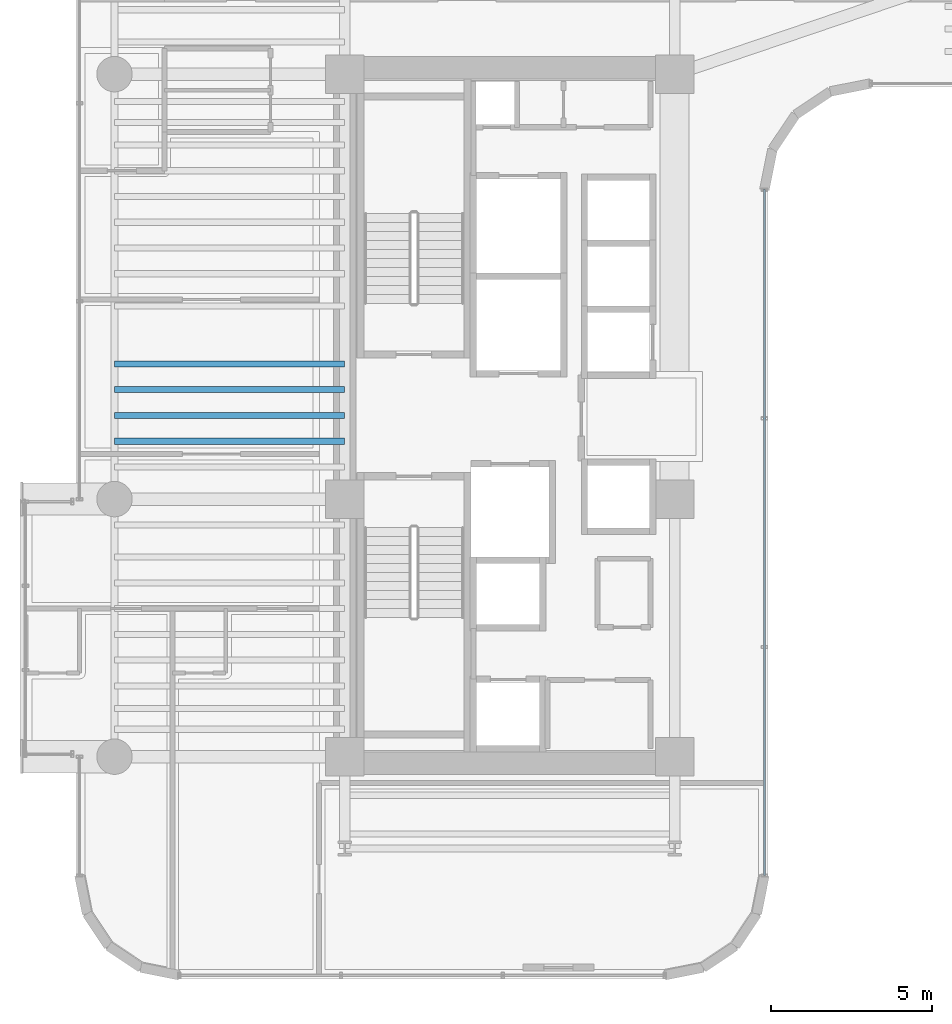
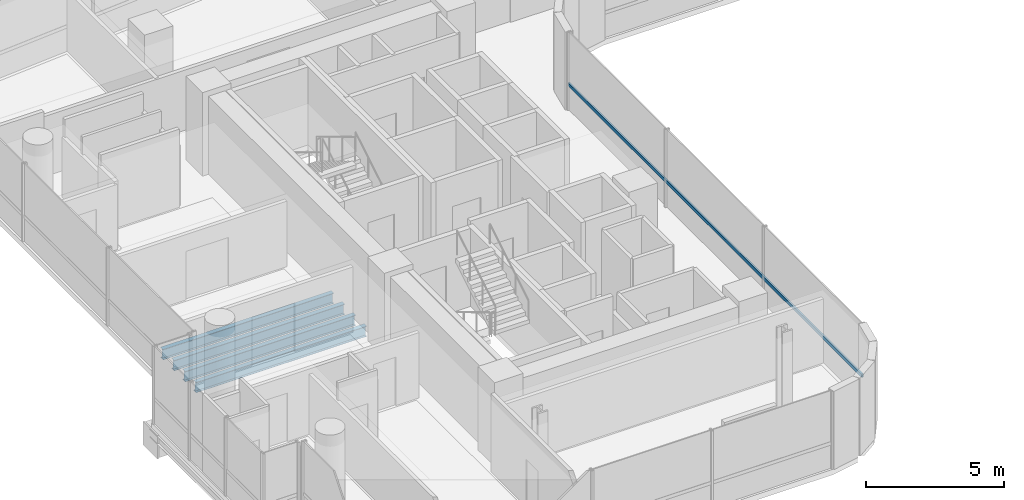
# One storey, part 6 of 37: 4 beams, 1 member, 1 element without a shape of its own.
"""IFC4 building model written with IfcOpenShell, lengths in metres."""

from ifc_helpers import new_model, si_unit, direction, frame, origin, origin_2d, place, context, subcontext, project, spatial, hollow_rectangle, i_section, extrude, source, transform, mapped, material, material_profile, profile_set, type_object, element, aggregate, save


model = new_model("IFC4")

# Units and contexts
model_context = context("Model", 3, precision=1e-05, world=origin(), true_north=direction((0.0, 1.0)))
body_context = subcontext(model_context, "Body", "Model", "MODEL_VIEW")
ifc_project = project(units=[si_unit("LENGTHUNIT", "METRE"), si_unit("AREAUNIT", "SQUARE_METRE"), si_unit("VOLUMEUNIT", "CUBIC_METRE"), si_unit("PLANEANGLEUNIT", "RADIAN"), si_unit("MASSUNIT", "GRAM", prefix="KILO")], contexts=[model_context])

# Site, building, storey
site_placement = place(None, origin())
site = spatial("IfcSite", under=ifc_project, at=site_placement, CompositionType="ELEMENT")
building_placement = place(site_placement, origin())
building = spatial("IfcBuilding", under=site, at=building_placement, Name="Valdorenza Pilgrim Sanctuary Tower", CompositionType="ELEMENT")
storey_placement = place(building_placement, frame((0.0, 0.0, 135.300048828125)))
storey = spatial("IfcBuildingStorey", under=building, at=storey_placement, Name="L34", CompositionType="ELEMENT", Elevation=135.300048828125)

# Beams
ifc_material_1 = material(Name="Steel ASTM A992 Grade 50", Category="steel")
ifc_material_profile_1 = material_profile(ifc_material_1, i_section(OverallWidth=0.19091796875, OverallDepth=0.45703125, WebThickness=0.009033203125, FlangeThickness=0.014404296875, at=origin_2d()), Name="W18X50")
ifc_profile_set_1 = profile_set([ifc_material_profile_1], Name="Steel ASTM A992 Grade 50")
beam_type = type_object("IfcBeamType", Name="STR-BM-JST-W18B", PredefinedType="JOIST", material=ifc_profile_set_1)
shared_shape_1 = source(origin(), body_context, "Body", "SweptSolid", [
    extrude(i_section(OverallWidth=0.19091796875, OverallDepth=0.45703125, WebThickness=0.009033203125, FlangeThickness=0.014404296875, at=origin_2d()), origin(), (0.0, 0.0, 1.0), 7.150146484375),
])
for number, where, z_axis, x_axis, name in (
    (1, (-29.800048828125, -0.800048828125, -0.468505859375), (1.0, 0.0, 0.0), (0.0, 1.0, 0.0), "L34 Composite Floor Joist JST-WA-11"),
    (2, (-29.800048828125, 0.0, -0.468505859375), (1.0, 0.0, 0.0), (0.0, 1.0, 0.0), "L34 Composite Floor Joist JST-WA-12"),
    (3, (-29.800048828125, 0.800048828125, -0.468505859375), (1.0, 0.0, 0.0), (0.0, 1.0, 0.0), "L34 Composite Floor Joist JST-WA-13"),
    (4, (-29.800048828125, 1.60009765625, -0.468505859375), (1.0, 0.0, 0.0), (0.0, 1.0, 0.0), "L34 Composite Floor Joist JST-WA-14"),
):
    element("IfcBeam", number, at=place(storey_placement, frame(where, z_axis=z_axis, x_axis=x_axis)), inside=storey, type_object=beam_type, Name=name, PredefinedType="JOIST", context=body_context, shape_type="MappedRepresentation", body=[
        mapped(shared_shape_1, transform((0.0, 0.0, 0.0), x_axis=(1.0, 0.0, 0.0), y_axis=(0.0, 1.0, 0.0), z_axis=(0.0, 0.0, 1.0), scale=1.0)),
    ])

# Curtain wall, member
ifc_material_2 = material(Name="Curtain-wall IGU glazing", Category="glass")
curtain_wall_type = type_object("IfcCurtainWallType", Name="CW-SYS-02", PredefinedType="NOTDEFINED", material=ifc_material_2)
curtain_wall_placement = place(storey_placement, origin())
curtain_wall = element("IfcCurtainWall", 5, at=curtain_wall_placement, inside=storey, type_object=curtain_wall_type, Name="L34 Curtain Wall CW-L34-1-41", PredefinedType="NOTDEFINED")
ifc_material_3 = material(Name="Anodised aluminium AW-6060", Category="aluminium")
ifc_material_profile_2 = material_profile(ifc_material_3, hollow_rectangle(XDim=0.074951171875, YDim=0.14990234375, WallThickness=0.00390625, at=origin_2d()), Name="ALU-T 150x75x4")
ifc_profile_set_2 = profile_set([ifc_material_profile_2], Name="Anodised aluminium AW-6060")
member_type = type_object("IfcMemberType", Name="CW-TRN-02", PredefinedType="USERDEFINED", material=ifc_profile_set_2)
shared_shape_2 = source(origin(), body_context, "Body", "SweptSolid", [
    extrude(hollow_rectangle(XDim=0.074951171875, YDim=0.14990234375, WallThickness=0.00390625, at=origin_2d()), origin(), (0.0, 0.0, 1.0), 21.300048828125),
])
member_placement = place(storey_placement, frame((-9.610107421875, 7.0107421875, 1.119873046875), z_axis=(0.0, -1.0, 0.0), x_axis=(1.0, 0.0, 0.0)))
member = element("IfcMember", 6, at=member_placement, type_object=member_type, Name="CW-L34-1-41 Transom 1", ObjectType="TRANSOM", PredefinedType="USERDEFINED", context=body_context, shape_type="MappedRepresentation", body=[
    mapped(shared_shape_2, transform((0.0, 0.0, 0.0), x_axis=(1.0, 0.0, 0.0), y_axis=(0.0, 1.0, 0.0), z_axis=(0.0, 0.0, 1.0), scale=1.0)),
])
aggregate(curtain_wall, [member])

save(model, "model.ifc")
